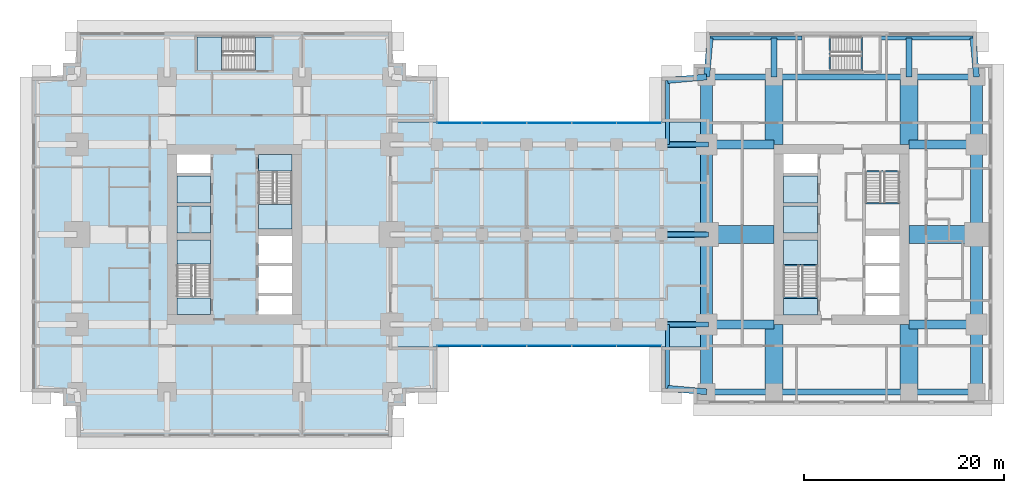
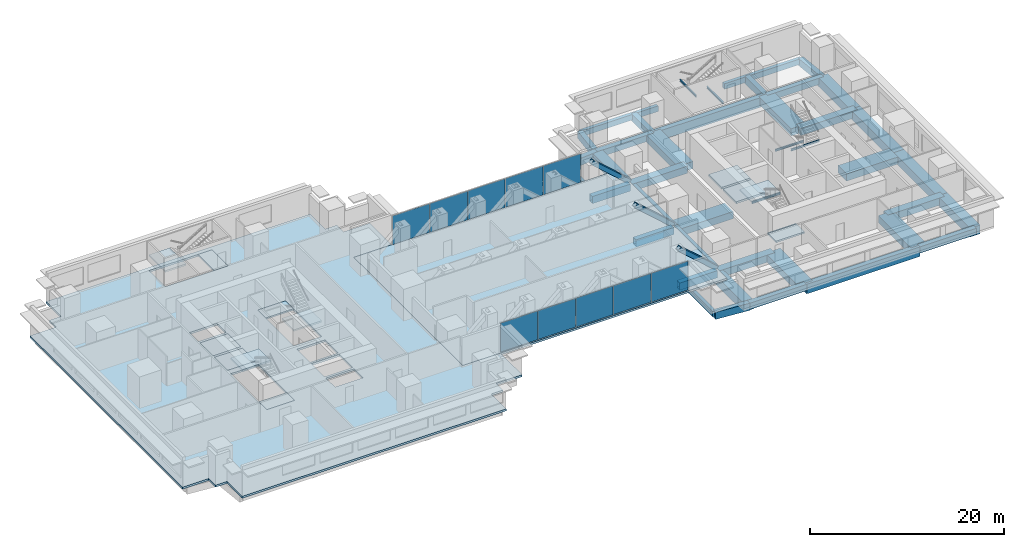
# One storey, part 5 of 16: 43 beams, 14 slabs, 10 plates, 3 members, 6 elements without a shape of their own.
"""IFC4 building model written with IfcOpenShell, lengths in metres."""

from ifc_helpers import new_model, si_unit, direction, frame, origin, origin_2d, place, context, subcontext, project, spatial, polyline, rectangle, hollow_rectangle, i_section, outline, extrude, material, layer, layer_set, material_profile, profile_set, type_object, element, aggregate, save


model = new_model("IFC4")

# Units and contexts
model_context = context("Model", 3, precision=1e-05, world=origin(), true_north=direction((0.0, 1.0)))
body_context = subcontext(model_context, "Body", "Model", "MODEL_VIEW")
ifc_project = project(units=[si_unit("LENGTHUNIT", "METRE"), si_unit("AREAUNIT", "SQUARE_METRE"), si_unit("VOLUMEUNIT", "CUBIC_METRE"), si_unit("PLANEANGLEUNIT", "RADIAN"), si_unit("MASSUNIT", "GRAM", prefix="KILO")], contexts=[model_context])

# Site, building, storey
site_placement = place(None, origin())
site = spatial("IfcSite", under=ifc_project, at=site_placement, CompositionType="ELEMENT")
building_placement = place(site_placement, origin())
building = spatial("IfcBuilding", under=site, at=building_placement, Name="Namib Vertical Campus", CompositionType="ELEMENT")
storey_placement = place(building_placement, frame((0.0, 0.0, 117.0)))
storey = spatial("IfcBuildingStorey", under=building, at=storey_placement, Name="L27", CompositionType="ELEMENT", Elevation=117.0)

# Members
ifc_material_1 = material(Name="Steel S355JR", Category="steel")
ifc_material_profile_1 = material_profile(ifc_material_1, hollow_rectangle(XDim=0.5, YDim=0.5, WallThickness=0.031982421875, at=origin_2d()))
ifc_profile_set_1 = profile_set([ifc_material_profile_1], Name="Steel S355JR")
member_type = type_object("IfcMemberType", Name="Bridge end brace WB 500x500x32", PredefinedType="BRACE", material=ifc_profile_set_1)
for number, where, z_axis, x_axis, name in (
    (1, (67.5, 11.25, 0.0), (-0.747409318684, 0.0, 0.66436383883), (0.0, -1.0, 0.0), "Bridge brace BX1 L27 T1 bay 7"),
    (2, (67.5, 20.25, 0.0), (-0.747409318684, 0.0, 0.66436383883), (0.0, -1.0, 0.0), "Bridge brace BX1 L27 T2 bay 7"),
    (3, (67.5, 29.25, 0.0), (-0.747409318684, 0.0, 0.66436383883), (0.0, -1.0, 0.0), "Bridge brace BX1 L27 T3 bay 7"),
):
    element("IfcMember", number, at=place(storey_placement, frame(where, z_axis=z_axis, x_axis=x_axis)), inside=storey, type_object=member_type, Name=name, PredefinedType="BRACE", context=body_context, shape_type="SweptSolid", body=[
        extrude(hollow_rectangle(XDim=0.5, YDim=0.5, WallThickness=0.031982421875, at=origin_2d()), origin(), (0.0, 0.0, 1.0), 6.020751953125),
    ])

# Beams
ifc_material_2 = material(Name="Steel S355JR", Category="steel")
ifc_material_profile_2 = material_profile(ifc_material_2, hollow_rectangle(XDim=0.60009765625, YDim=0.89990234375, WallThickness=0.050048828125, at=origin_2d()))
ifc_profile_set_2 = profile_set([ifc_material_profile_2], Name="Steel S355JR")
beam_type_1 = type_object("IfcBeamType", Name="Bridge girder WB 900x600x50", PredefinedType="BEAM", material=ifc_profile_set_2)
for number, where, z_axis, x_axis, name in (
    (4, (63.0, 11.25, -0.699951171875), (1.0, 0.0, 0.0), (0.0, 1.0, 0.0), "Bridge girder BG1 L27"),
    (5, (63.0, 20.25, -0.699951171875), (1.0, 0.0, 0.0), (0.0, 1.0, 0.0), "Bridge girder BG1 L27"),
    (6, (63.0, 29.25, -0.699951171875), (1.0, 0.0, 0.0), (0.0, 1.0, 0.0), "Bridge girder BG1 L27"),
):
    element("IfcBeam", number, at=place(storey_placement, frame(where, z_axis=z_axis, x_axis=x_axis)), inside=storey, type_object=beam_type_1, Name=name, PredefinedType="BEAM", context=body_context, shape_type="SweptSolid", body=[
        extrude(hollow_rectangle(XDim=0.60009765625, YDim=0.89990234375, WallThickness=0.050048828125, at=origin_2d()), origin(), (0.0, 0.0, 1.0), 4.5),
    ])
ifc_material_3 = material(Name="Concrete C40/50", Category="concrete")
ifc_material_profile_3 = material_profile(ifc_material_3, rectangle(XDim=0.60009765625, YDim=0.89990234375, at=origin_2d()))
ifc_profile_set_3 = profile_set([ifc_material_profile_3], Name="Concrete C40/50")
beam_type_2 = type_object("IfcBeamType", Name="Cantilever girder RC 600x900", PredefinedType="BEAM", material=ifc_profile_set_3)
beam_1_placement = place(storey_placement, frame((67.5, 36.0, -0.699951171875), z_axis=(0.089411326146, 0.995994786511, 0.0), x_axis=(-0.995994786511, 0.089411326146, 0.0)))
element("IfcBeam", 7, at=beam_1_placement, inside=storey, type_object=beam_type_2, Name="Beam B3 L27", PredefinedType="BEAM", context=body_context, shape_type="SweptSolid", body=[
    extrude(rectangle(XDim=0.60009765625, YDim=0.89990234375, at=origin_2d()), origin(), (0.0, 0.0, 1.0), 3.91552734375),
])
for number, where, z_axis, x_axis, name in (
    (8, (74.25, 36.0, -0.699951171875), (0.0, 1.0, 0.0), (-1.0, 0.0, 0.0), "Beam B3 L27"),
    (9, (87.75, 36.0, -0.699951171875), (0.0, 1.0, 0.0), (-1.0, 0.0, 0.0), "Beam B3 L27"),
):
    element("IfcBeam", number, at=place(storey_placement, frame(where, z_axis=z_axis, x_axis=x_axis)), inside=storey, type_object=beam_type_2, Name=name, PredefinedType="BEAM", context=body_context, shape_type="SweptSolid", body=[
        extrude(rectangle(XDim=0.60009765625, YDim=0.89990234375, at=origin_2d()), origin(), (0.0, 0.0, 1.0), 3.89990234375),
    ])
for number, where, z_axis, x_axis, name in (
    (10, (94.5, 36.0, -0.699951171875), (-0.089411326146, 0.995994786511, 0.0), (-0.995994786511, -0.089411326146, 0.0), "Beam B3 L27"),
    (11, (67.5, 4.5, -0.699951171875), (-0.995994786511, 0.089411326146, 0.0), (-0.089411326146, -0.995994786511, 0.0), "Beam B3 L27"),
    (12, (67.5, 36.0, -0.699951171875), (-0.995994786511, -0.089411326146, 0.0), (0.089411326146, -0.995994786511, 0.0), "Beam B3 L27"),
):
    element("IfcBeam", number, at=place(storey_placement, frame(where, z_axis=z_axis, x_axis=x_axis)), inside=storey, type_object=beam_type_2, Name=name, PredefinedType="BEAM", context=body_context, shape_type="SweptSolid", body=[
        extrude(rectangle(XDim=0.60009765625, YDim=0.89990234375, at=origin_2d()), origin(), (0.0, 0.0, 1.0), 3.91552734375),
    ])
ifc_material_4 = material(Name="Concrete C40/50", Category="concrete")
ifc_material_profile_4 = material_profile(ifc_material_4, rectangle(XDim=0.39990234375, YDim=0.699951171875, at=origin_2d()))
ifc_profile_set_4 = profile_set([ifc_material_profile_4], Name="Concrete C40/50")
beam_type_3 = type_object("IfcBeamType", Name="Edge beam RC 400x700", PredefinedType="SPANDREL", material=ifc_profile_set_4)
for number, where, z_axis, x_axis, name in (
    (13, (67.85009765625, 39.89990234375, -0.60009765625), (1.0, 0.0, 0.0), (0.0, 1.0, 0.0), "Beam B4 L27"),
    (14, (84.949951171875, 39.89990234375, -0.60009765625), (1.0, 0.0, 0.0), (0.0, 1.0, 0.0), "Beam B4 L27"),
):
    element("IfcBeam", number, at=place(storey_placement, frame(where, z_axis=z_axis, x_axis=x_axis)), inside=storey, type_object=beam_type_3, Name=name, PredefinedType="SPANDREL", context=body_context, shape_type="SweptSolid", body=[
        extrude(rectangle(XDim=0.39990234375, YDim=0.699951171875, at=origin_2d()), origin(), (0.0, 0.0, 1.0), 9.199951171875),
    ])
for number, where, z_axis, x_axis, name in (
    (15, (63.60009765625, 4.85009765625, -0.60009765625), (0.0, 1.0, 0.0), (-1.0, 0.0, 0.0), "Beam B4 L27"),
    (16, (63.60009765625, 29.25, -0.60009765625), (0.0, 1.0, 0.0), (-1.0, 0.0, 0.0), "Beam B4 L27"),
):
    element("IfcBeam", number, at=place(storey_placement, frame(where, z_axis=z_axis, x_axis=x_axis)), inside=storey, type_object=beam_type_3, Name=name, PredefinedType="SPANDREL", context=body_context, shape_type="SweptSolid", body=[
        extrude(rectangle(XDim=0.39990234375, YDim=0.699951171875, at=origin_2d()), origin(), (0.0, 0.0, 1.0), 6.39990234375),
    ])
ifc_material_5 = material(Name="Concrete C40/50", Category="concrete")
ifc_material_profile_5 = material_profile(ifc_material_5, rectangle(XDim=0.89990234375, YDim=0.89990234375, at=origin_2d()))
ifc_profile_set_5 = profile_set([ifc_material_profile_5], Name="Concrete C40/50")
beam_type_4 = type_object("IfcBeamType", Name="Face girder RC 900x900", PredefinedType="BEAM", material=ifc_profile_set_5)
for number, where, z_axis, x_axis, name in (
    (17, (67.5, 11.25, -0.699951171875), (1.0, 0.0, 0.0), (0.0, 1.0, 0.0), "Beam B10 L27"),
    (18, (94.5, 11.25, -0.699951171875), (-1.0, 0.0, 0.0), (0.0, -1.0, 0.0), "Beam B10 L27"),
    (19, (67.5, 29.25, -0.699951171875), (1.0, 0.0, 0.0), (0.0, 1.0, 0.0), "Beam B10 L27"),
    (20, (94.5, 29.25, -0.699951171875), (-1.0, 0.0, 0.0), (0.0, -1.0, 0.0), "Beam B10 L27"),
):
    element("IfcBeam", number, at=place(storey_placement, frame(where, z_axis=z_axis, x_axis=x_axis)), inside=storey, type_object=beam_type_4, Name=name, PredefinedType="BEAM", context=body_context, shape_type="SweptSolid", body=[
        extrude(rectangle(XDim=0.89990234375, YDim=0.89990234375, at=origin_2d()), origin(), (0.0, 0.0, 1.0), 6.75),
    ])
ifc_material_6 = material(Name="Concrete C40/50", Category="concrete")
ifc_material_profile_6 = material_profile(ifc_material_6, rectangle(XDim=1.199951171875, YDim=1.10009765625, at=origin_2d()))
ifc_profile_set_6 = profile_set([ifc_material_profile_6], Name="Concrete C40/50")
beam_type_5 = type_object("IfcBeamType", Name="Face ring beam RC 1200x1100", PredefinedType="BEAM", material=ifc_profile_set_6)
beam_2_placement = place(storey_placement, frame((67.5, 4.5, -0.800048828125), z_axis=(0.0, 1.0, 0.0), x_axis=(-1.0, 0.0, 0.0)))
element("IfcBeam", 21, at=beam_2_placement, inside=storey, type_object=beam_type_5, Name="Beam B11 L27", PredefinedType="BEAM", context=body_context, shape_type="SweptSolid", body=[
    extrude(rectangle(XDim=1.199951171875, YDim=1.10009765625, at=origin_2d()), origin(), (0.0, 0.0, 1.0), 6.75),
])
for number, where, z_axis, x_axis, name in (
    (22, (67.5, 11.25, -0.800048828125), (0.0, 1.0, 0.0), (-1.0, 0.0, 0.0), "Beam B11 L27"),
    (23, (67.5, 20.25, -0.800048828125), (0.0, 1.0, 0.0), (-1.0, 0.0, 0.0), "Beam B11 L27"),
):
    element("IfcBeam", number, at=place(storey_placement, frame(where, z_axis=z_axis, x_axis=x_axis)), inside=storey, type_object=beam_type_5, Name=name, PredefinedType="BEAM", context=body_context, shape_type="SweptSolid", body=[
        extrude(rectangle(XDim=1.199951171875, YDim=1.10009765625, at=origin_2d()), origin(), (0.0, 0.0, 1.0), 9.0),
    ])
for number, where, z_axis, x_axis, name in (
    (24, (67.5, 29.25, -0.800048828125), (0.0, 1.0, 0.0), (-1.0, 0.0, 0.0), "Beam B11 L27"),
    (25, (94.5, 4.5, -0.800048828125), (0.0, 1.0, 0.0), (-1.0, 0.0, 0.0), "Beam B11 L27"),
):
    element("IfcBeam", number, at=place(storey_placement, frame(where, z_axis=z_axis, x_axis=x_axis)), inside=storey, type_object=beam_type_5, Name=name, PredefinedType="BEAM", context=body_context, shape_type="SweptSolid", body=[
        extrude(rectangle(XDim=1.199951171875, YDim=1.10009765625, at=origin_2d()), origin(), (0.0, 0.0, 1.0), 6.75),
    ])
for number, where, z_axis, x_axis, name in (
    (26, (94.5, 11.25, -0.800048828125), (0.0, 1.0, 0.0), (-1.0, 0.0, 0.0), "Beam B11 L27"),
    (27, (94.5, 20.25, -0.800048828125), (0.0, 1.0, 0.0), (-1.0, 0.0, 0.0), "Beam B11 L27"),
):
    element("IfcBeam", number, at=place(storey_placement, frame(where, z_axis=z_axis, x_axis=x_axis)), inside=storey, type_object=beam_type_5, Name=name, PredefinedType="BEAM", context=body_context, shape_type="SweptSolid", body=[
        extrude(rectangle(XDim=1.199951171875, YDim=1.10009765625, at=origin_2d()), origin(), (0.0, 0.0, 1.0), 9.0),
    ])
beam_3_placement = place(storey_placement, frame((94.5, 29.25, -0.800048828125), z_axis=(0.0, 1.0, 0.0), x_axis=(-1.0, 0.0, 0.0)))
element("IfcBeam", 28, at=beam_3_placement, inside=storey, type_object=beam_type_5, Name="Beam B11 L27", PredefinedType="BEAM", context=body_context, shape_type="SweptSolid", body=[
    extrude(rectangle(XDim=1.199951171875, YDim=1.10009765625, at=origin_2d()), origin(), (0.0, 0.0, 1.0), 6.75),
])
ifc_material_7 = material(Name="Steel S355JR", Category="steel")
ifc_material_profile_7 = material_profile(ifc_material_7, i_section(OverallWidth=0.14599609375, OverallDepth=0.25146484375, WebThickness=0.006103515625, FlangeThickness=0.008544921875, FilletRadius=0.007568359375, at=origin_2d()))
ifc_profile_set_7 = profile_set([ifc_material_profile_7], Name="Steel S355JR")
beam_type_6 = type_object("IfcBeamType", Name="Landing trimmer UB 254x146x31", PredefinedType="BEAM", material=ifc_profile_set_7)
for number, where, z_axis, x_axis, name in (
    (29, (75.199951171875, 13.927001953125, -0.125732421875), (1.0, 0.0, 0.0), (0.0, 1.0, 0.0), "Landing trimmer LT1 B-S1 L27 1"),
    (30, (75.199951171875, 17.153076171875, 1.874267578125), (1.0, 0.0, 0.0), (0.0, 1.0, 0.0), "Landing trimmer LT1 B-S1 L27 2"),
    (31, (83.39990234375, 26.572998046875, -0.125732421875), (1.0, 0.0, 0.0), (0.0, 1.0, 0.0), "Landing trimmer LT1 B-S2 L27 1"),
    (32, (83.39990234375, 23.346923828125, 1.874267578125), (1.0, 0.0, 0.0), (0.0, 1.0, 0.0), "Landing trimmer LT1 B-S2 L27 2"),
):
    element("IfcBeam", number, at=place(storey_placement, frame(where, z_axis=z_axis, x_axis=x_axis)), inside=storey, type_object=beam_type_6, Name=name, PredefinedType="BEAM", context=body_context, shape_type="SweptSolid", body=[
        extrude(i_section(OverallWidth=0.14599609375, OverallDepth=0.25146484375, WebThickness=0.006103515625, FlangeThickness=0.008544921875, FilletRadius=0.007568359375, at=origin_2d()), origin(), (0.0, 0.0, 1.0), 3.400146484375),
    ])
for number, where, z_axis, x_axis, name in (
    (33, (83.02294921875, 36.60009765625, -0.125732421875), (0.0, 1.0, 0.0), (-1.0, 0.0, 0.0), "Landing trimmer LT1 B-S3 L27 1"),
    (34, (79.796875, 36.60009765625, 1.874267578125), (0.0, 1.0, 0.0), (-1.0, 0.0, 0.0), "Landing trimmer LT1 B-S3 L27 2"),
):
    element("IfcBeam", number, at=place(storey_placement, frame(where, z_axis=z_axis, x_axis=x_axis)), inside=storey, type_object=beam_type_6, Name=name, PredefinedType="BEAM", context=body_context, shape_type="SweptSolid", body=[
        extrude(i_section(OverallWidth=0.14599609375, OverallDepth=0.25146484375, WebThickness=0.006103515625, FlangeThickness=0.008544921875, FilletRadius=0.007568359375, at=origin_2d()), origin(), (0.0, 0.0, 1.0), 3.39990234375),
    ])
ifc_material_8 = material(Name="Concrete C40/50", Category="concrete")
ifc_material_profile_8 = material_profile(ifc_material_8, rectangle(XDim=0.60009765625, YDim=1.199951171875, at=origin_2d()))
ifc_profile_set_8 = profile_set([ifc_material_profile_8], Name="Concrete C40/50")
beam_type_7 = type_object("IfcBeamType", Name="Long-span ring beam RC 600x1200", PredefinedType="BEAM", material=ifc_profile_set_8)
for number, where, z_axis, x_axis, name in (
    (35, (74.25, 4.5, -0.85009765625), (1.0, 0.0, 0.0), (0.0, 1.0, 0.0), "Beam B9 L27"),
    (36, (74.25, 36.0, -0.85009765625), (1.0, 0.0, 0.0), (0.0, 1.0, 0.0), "Beam B9 L27"),
):
    element("IfcBeam", number, at=place(storey_placement, frame(where, z_axis=z_axis, x_axis=x_axis)), inside=storey, type_object=beam_type_7, Name=name, PredefinedType="BEAM", context=body_context, shape_type="SweptSolid", body=[
        extrude(rectangle(XDim=0.60009765625, YDim=1.199951171875, at=origin_2d()), origin(), (0.0, 0.0, 1.0), 13.5),
    ])
ifc_material_9 = material(Name="Concrete C40/50", Category="concrete")
ifc_material_profile_9 = material_profile(ifc_material_9, rectangle(XDim=1.800048828125, YDim=0.89990234375, at=origin_2d()))
ifc_profile_set_9 = profile_set([ifc_material_profile_9], Name="Concrete C40/50")
beam_type_8 = type_object("IfcBeamType", Name="Outrigger line girder RC 1800x900", PredefinedType="BEAM", material=ifc_profile_set_9)
for number, where, z_axis, x_axis, name in (
    (37, (74.25, 4.5, -0.699951171875), (0.0, 1.0, 0.0), (-1.0, 0.0, 0.0), "Beam B12 L27"),
    (38, (74.25, 36.0, -0.699951171875), (0.0, -1.0, 0.0), (1.0, 0.0, 0.0), "Beam B12 L27"),
    (39, (87.75, 4.5, -0.699951171875), (0.0, 1.0, 0.0), (-1.0, 0.0, 0.0), "Beam B12 L27"),
    (40, (87.75, 36.0, -0.699951171875), (0.0, -1.0, 0.0), (1.0, 0.0, 0.0), "Beam B12 L27"),
    (41, (67.5, 20.25, -0.699951171875), (1.0, 0.0, 0.0), (0.0, 1.0, 0.0), "Beam B12 L27"),
    (42, (94.5, 20.25, -0.699951171875), (-1.0, 0.0, 0.0), (0.0, -1.0, 0.0), "Beam B12 L27"),
):
    element("IfcBeam", number, at=place(storey_placement, frame(where, z_axis=z_axis, x_axis=x_axis)), inside=storey, type_object=beam_type_8, Name=name, PredefinedType="BEAM", context=body_context, shape_type="SweptSolid", body=[
        extrude(rectangle(XDim=1.800048828125, YDim=0.89990234375, at=origin_2d()), origin(), (0.0, 0.0, 1.0), 6.75),
    ])
ifc_material_10 = material(Name="Concrete C40/50", Category="concrete")
ifc_material_profile_10 = material_profile(ifc_material_10, rectangle(XDim=0.60009765625, YDim=0.800048828125, at=origin_2d()))
ifc_profile_set_10 = profile_set([ifc_material_profile_10], Name="Concrete C40/50")
beam_type_9 = type_object("IfcBeamType", Name="Ring beam RC 600x800", PredefinedType="BEAM", material=ifc_profile_set_10)
for number, where, z_axis, x_axis, name in (
    (43, (67.5, 4.5, -0.64990234375), (1.0, 0.0, 0.0), (0.0, 1.0, 0.0), "Beam B1 L27"),
    (44, (87.75, 4.5, -0.64990234375), (1.0, 0.0, 0.0), (0.0, 1.0, 0.0), "Beam B1 L27"),
    (45, (67.5, 36.0, -0.64990234375), (1.0, 0.0, 0.0), (0.0, 1.0, 0.0), "Beam B1 L27"),
    (46, (87.75, 36.0, -0.64990234375), (1.0, 0.0, 0.0), (0.0, 1.0, 0.0), "Beam B1 L27"),
):
    element("IfcBeam", number, at=place(storey_placement, frame(where, z_axis=z_axis, x_axis=x_axis)), inside=storey, type_object=beam_type_9, Name=name, PredefinedType="BEAM", context=body_context, shape_type="SweptSolid", body=[
        extrude(rectangle(XDim=0.60009765625, YDim=0.800048828125, at=origin_2d()), origin(), (0.0, 0.0, 1.0), 6.75),
    ])

# Curtain wall, plates
ifc_material_11 = material(Name="Black aluminium curtain wall", Category="aluminium")
ifc_layer_1 = layer(ifc_material_11, 0.199951171875)
ifc_layer_set_1 = layer_set([ifc_layer_1], Name="Bridge curtain wall CW-BR")
curtain_wall_type = type_object("IfcCurtainWallType", Name="Bridge curtain wall CW-BR", PredefinedType="USERDEFINED", material=ifc_layer_set_1)
curtain_wall_1_placement = place(storey_placement, origin())
curtain_wall_1 = element("IfcCurtainWall", 47, at=curtain_wall_1_placement, inside=storey, type_object=curtain_wall_type, Name="Curtain wall CW-BR L27 S", ObjectType="CURTAIN WALL", PredefinedType="USERDEFINED")
ifc_material_12 = material(Name="Dark tinted glass", Category="glass")
ifc_layer_2 = layer(ifc_material_12, 0.028076171875)
ifc_layer_set_2 = layer_set([ifc_layer_2], Name="Dark solar glass panel 28")
plate_type = type_object("IfcPlateType", Name="Dark solar glass panel 28", PredefinedType="CURTAIN_PANEL", material=ifc_layer_set_2)
plate_1_placement = place(storey_placement, frame((42.764892578125, 9.10009765625, 0.06005859375), z_axis=(0.0, 0.0, 1.0), x_axis=(1.0, 0.0, 0.0)))
plate_1 = element("IfcPlate", 48, at=plate_1_placement, type_object=plate_type, Name="CW-BR panel 1.1", PredefinedType="CURTAIN_PANEL", context=body_context, shape_type="SweptSolid", body=[
    extrude(rectangle(XDim=4.409912109375, YDim=0.028076171875, at=origin_2d()), origin(), (0.0, 0.0, 1.0), 3.6298828125),
])
plate_2_placement = place(storey_placement, frame((47.25, 9.10009765625, 0.06005859375), z_axis=(0.0, 0.0, 1.0), x_axis=(1.0, 0.0, 0.0)))
plate_2 = element("IfcPlate", 49, at=plate_2_placement, type_object=plate_type, Name="CW-BR panel 2.1", PredefinedType="CURTAIN_PANEL", context=body_context, shape_type="SweptSolid", body=[
    extrude(rectangle(XDim=4.43994140625, YDim=0.028076171875, at=origin_2d()), origin(), (0.0, 0.0, 1.0), 3.6298828125),
])
plate_3_placement = place(storey_placement, frame((51.75, 9.10009765625, 0.06005859375), z_axis=(0.0, 0.0, 1.0), x_axis=(1.0, 0.0, 0.0)))
plate_3 = element("IfcPlate", 50, at=plate_3_placement, type_object=plate_type, Name="CW-BR panel 3.1", PredefinedType="CURTAIN_PANEL", context=body_context, shape_type="SweptSolid", body=[
    extrude(rectangle(XDim=4.43994140625, YDim=0.028076171875, at=origin_2d()), origin(), (0.0, 0.0, 1.0), 3.6298828125),
])
plate_4_placement = place(storey_placement, frame((56.25, 9.10009765625, 0.06005859375), z_axis=(0.0, 0.0, 1.0), x_axis=(1.0, 0.0, 0.0)))
plate_4 = element("IfcPlate", 51, at=plate_4_placement, type_object=plate_type, Name="CW-BR panel 4.1", PredefinedType="CURTAIN_PANEL", context=body_context, shape_type="SweptSolid", body=[
    extrude(rectangle(XDim=4.43994140625, YDim=0.028076171875, at=origin_2d()), origin(), (0.0, 0.0, 1.0), 3.6298828125),
])
plate_5_placement = place(storey_placement, frame((60.735107421875, 9.10009765625, 0.06005859375), z_axis=(0.0, 0.0, 1.0), x_axis=(1.0, 0.0, 0.0)))
plate_5 = element("IfcPlate", 52, at=plate_5_placement, type_object=plate_type, Name="CW-BR panel 5.1", PredefinedType="CURTAIN_PANEL", context=body_context, shape_type="SweptSolid", body=[
    extrude(rectangle(XDim=4.409912109375, YDim=0.028076171875, at=origin_2d()), origin(), (0.0, 0.0, 1.0), 3.6298828125),
])
aggregate(curtain_wall_1, [plate_1, plate_2, plate_3, plate_4, plate_5])

curtain_wall_2_placement = place(storey_placement, origin())
curtain_wall_2 = element("IfcCurtainWall", 53, at=curtain_wall_2_placement, inside=storey, type_object=curtain_wall_type, Name="Curtain wall CW-BR L27 N", ObjectType="CURTAIN WALL", PredefinedType="USERDEFINED")
plate_6_placement = place(storey_placement, frame((60.735107421875, 31.39990234375, 0.06005859375), z_axis=(0.0, 0.0, 1.0), x_axis=(-1.0, 0.0, 0.0)))
plate_6 = element("IfcPlate", 54, at=plate_6_placement, type_object=plate_type, Name="CW-BR panel 1.1", PredefinedType="CURTAIN_PANEL", context=body_context, shape_type="SweptSolid", body=[
    extrude(rectangle(XDim=4.409912109375, YDim=0.028076171875, at=origin_2d()), origin(), (0.0, 0.0, 1.0), 3.6298828125),
])
plate_7_placement = place(storey_placement, frame((56.25, 31.39990234375, 0.06005859375), z_axis=(0.0, 0.0, 1.0), x_axis=(-1.0, 0.0, 0.0)))
plate_7 = element("IfcPlate", 55, at=plate_7_placement, type_object=plate_type, Name="CW-BR panel 2.1", PredefinedType="CURTAIN_PANEL", context=body_context, shape_type="SweptSolid", body=[
    extrude(rectangle(XDim=4.43994140625, YDim=0.028076171875, at=origin_2d()), origin(), (0.0, 0.0, 1.0), 3.6298828125),
])
plate_8_placement = place(storey_placement, frame((51.75, 31.39990234375, 0.06005859375), z_axis=(0.0, 0.0, 1.0), x_axis=(-1.0, 0.0, 0.0)))
plate_8 = element("IfcPlate", 56, at=plate_8_placement, type_object=plate_type, Name="CW-BR panel 3.1", PredefinedType="CURTAIN_PANEL", context=body_context, shape_type="SweptSolid", body=[
    extrude(rectangle(XDim=4.43994140625, YDim=0.028076171875, at=origin_2d()), origin(), (0.0, 0.0, 1.0), 3.6298828125),
])
plate_9_placement = place(storey_placement, frame((47.25, 31.39990234375, 0.06005859375), z_axis=(0.0, 0.0, 1.0), x_axis=(-1.0, 0.0, 0.0)))
plate_9 = element("IfcPlate", 57, at=plate_9_placement, type_object=plate_type, Name="CW-BR panel 4.1", PredefinedType="CURTAIN_PANEL", context=body_context, shape_type="SweptSolid", body=[
    extrude(rectangle(XDim=4.43994140625, YDim=0.028076171875, at=origin_2d()), origin(), (0.0, 0.0, 1.0), 3.6298828125),
])
plate_10_placement = place(storey_placement, frame((42.764892578125, 31.39990234375, 0.06005859375), z_axis=(0.0, 0.0, 1.0), x_axis=(-1.0, 0.0, 0.0)))
plate_10 = element("IfcPlate", 58, at=plate_10_placement, type_object=plate_type, Name="CW-BR panel 5.1", PredefinedType="CURTAIN_PANEL", context=body_context, shape_type="SweptSolid", body=[
    extrude(rectangle(XDim=4.409912109375, YDim=0.028076171875, at=origin_2d()), origin(), (0.0, 0.0, 1.0), 3.6298828125),
])
aggregate(curtain_wall_2, [plate_6, plate_7, plate_8, plate_9, plate_10])

# Slabs
ifc_material_13 = material(Name="Concrete C40/50", Category="concrete")
ifc_layer_3 = layer(ifc_material_13, 0.25)
ifc_layer_set_3 = layer_set([ifc_layer_3], Name="Concrete C40/50")
slab_type_1 = type_object("IfcSlabType", Name="Floor slab 250", PredefinedType="FLOOR", material=ifc_layer_set_3)
slab_1_placement = place(storey_placement, frame((0.0, 0.0, -0.25)))
element("IfcSlab", 59, at=slab_1_placement, inside=storey, type_object=slab_type_1, Name="Floor slab A L27", PredefinedType="FLOOR", context=body_context, shape_type="SweptSolid", body=[
    extrude(outline(polyline([(4.5, 3.10009765625), (4.5, 0.0), (36.0, 0.0), (36.0, 3.10009765625), (37.39990234375, 3.10009765625), (37.39990234375, 4.5), (40.5, 4.5), (40.5, 9.0), (36.0, 9.0), (36.0, 31.5), (40.5, 31.5), (40.5, 36.0), (37.39990234375, 36.0), (37.39990234375, 37.39990234375), (36.0, 37.39990234375), (36.0, 40.5), (4.5, 40.5), (4.5, 37.39990234375), (3.10009765625, 37.39990234375), (3.10009765625, 36.0), (0.0, 36.0), (0.0, 4.5), (3.10009765625, 4.5), (3.10009765625, 3.10009765625), (4.5, 3.10009765625)]), holes=[polyline([(14.5, 12.25), (17.85009765625, 12.25), (17.85009765625, 19.699951171875), (14.5, 19.699951171875), (14.5, 12.25)]), polyline([(22.64990234375, 20.800048828125), (26.0, 20.800048828125), (26.0, 28.25), (22.64990234375, 28.25), (22.64990234375, 20.800048828125)]), polyline([(22.64990234375, 12.25), (26.0, 12.25), (26.0, 14.10009765625), (22.64990234375, 14.10009765625), (22.64990234375, 12.25)]), polyline([(14.5, 20.39990234375), (17.85009765625, 20.39990234375), (17.85009765625, 23.10009765625), (14.5, 23.10009765625), (14.5, 20.39990234375)]), polyline([(14.5, 23.39990234375), (17.85009765625, 23.39990234375), (17.85009765625, 26.10009765625), (14.5, 26.10009765625), (14.5, 23.39990234375)]), polyline([(14.5, 26.39990234375), (17.85009765625, 26.39990234375), (17.85009765625, 28.25), (14.5, 28.25), (14.5, 26.39990234375)]), polyline([(22.64990234375, 14.39990234375), (26.0, 14.39990234375), (26.0, 17.10009765625), (22.64990234375, 17.10009765625), (22.64990234375, 14.39990234375)]), polyline([(22.64990234375, 17.39990234375), (26.0, 17.39990234375), (26.0, 20.10009765625), (22.64990234375, 20.10009765625), (22.64990234375, 17.39990234375)]), polyline([(16.5, 36.64990234375), (24.0, 36.64990234375), (24.0, 40.0), (16.5, 40.0), (16.5, 36.64990234375)])]), origin(), (0.0, 0.0, 1.0), 0.25),
])
slab_2_placement = place(storey_placement, frame((0.0, 0.0, -0.25)))
element("IfcSlab", 60, at=slab_2_placement, inside=storey, type_object=slab_type_1, Name="Bridge floor L27", PredefinedType="FLOOR", context=body_context, shape_type="SweptSolid", body=[
    extrude(outline(polyline([(36.0, 9.0), (67.5, 9.0), (67.5, 31.5), (36.0, 31.5), (36.0, 9.0)])), origin(), (0.0, 0.0, 1.0), 0.25),
])
ifc_material_14 = material(Name="Concrete C40/50 precast", Category="concrete")
ifc_layer_4 = layer(ifc_material_14, 0.25)
ifc_layer_set_4 = layer_set([ifc_layer_4], Name="Concrete C40/50 precast")
slab_type_2 = type_object("IfcSlabType", Name="Shaft infill floor 250", PredefinedType="FLOOR", material=ifc_layer_set_4)
slab_3_placement = place(storey_placement, frame((0.0, 0.0, -0.25)))
element("IfcSlab", 61, at=slab_3_placement, inside=storey, type_object=slab_type_2, Name="Shaft infill floor A L27 P1", PredefinedType="FLOOR", context=body_context, shape_type="SweptSolid", body=[
    extrude(outline(polyline([(14.5, 20.39990234375), (17.85009765625, 20.39990234375), (17.85009765625, 23.10009765625), (14.5, 23.10009765625), (14.5, 20.39990234375)])), origin(), (0.0, 0.0, 1.0), 0.25),
])
slab_4_placement = place(storey_placement, frame((0.0, 0.0, -0.25)))
element("IfcSlab", 62, at=slab_4_placement, inside=storey, type_object=slab_type_2, Name="Shaft infill floor A L27 P2", PredefinedType="FLOOR", context=body_context, shape_type="SweptSolid", body=[
    extrude(outline(polyline([(14.5, 23.39990234375), (17.85009765625, 23.39990234375), (17.85009765625, 26.10009765625), (14.5, 26.10009765625), (14.5, 23.39990234375)])), origin(), (0.0, 0.0, 1.0), 0.25),
])
slab_5_placement = place(storey_placement, frame((0.0, 0.0, -0.25)))
element("IfcSlab", 63, at=slab_5_placement, inside=storey, type_object=slab_type_2, Name="Shaft infill floor B L27 P1", PredefinedType="FLOOR", context=body_context, shape_type="SweptSolid", body=[
    extrude(outline(polyline([(75.199951171875, 20.39990234375), (78.60009765625, 20.39990234375), (78.60009765625, 23.10009765625), (75.199951171875, 23.10009765625), (75.199951171875, 20.39990234375)])), origin(), (0.0, 0.0, 1.0), 0.25),
])
slab_6_placement = place(storey_placement, frame((0.0, 0.0, -0.25)))
element("IfcSlab", 64, at=slab_6_placement, inside=storey, type_object=slab_type_2, Name="Shaft infill floor B L27 P2", PredefinedType="FLOOR", context=body_context, shape_type="SweptSolid", body=[
    extrude(outline(polyline([(75.199951171875, 23.39990234375), (78.60009765625, 23.39990234375), (78.60009765625, 26.10009765625), (75.199951171875, 26.10009765625), (75.199951171875, 23.39990234375)])), origin(), (0.0, 0.0, 1.0), 0.25),
])

# Stair, slabs
ifc_material_15 = material(Name="Concrete C40/50 precast", Category="concrete")
stair_type_1 = type_object("IfcStairType", Name="Exit stair 4000 rise 24 risers 3350 wide", PredefinedType="HALF_TURN_STAIR", material=ifc_material_15)
stair_1_placement = place(storey_placement, origin())
stair_1 = element("IfcStair", 65, at=stair_1_placement, inside=storey, type_object=stair_type_1, Name="Exit stair A-S1 L27", PredefinedType="HALF_TURN_STAIR")
ifc_material_16 = material(Name="Concrete C40/50", Category="concrete")
ifc_layer_5 = layer(ifc_material_16, 0.199951171875)
ifc_layer_set_5 = layer_set([ifc_layer_5], Name="Concrete C40/50")
slab_type_3 = type_object("IfcSlabType", Name="Stair landing 200", PredefinedType="LANDING", material=ifc_layer_set_5)
slab_7_placement = place(storey_placement, frame((0.0, 0.0, -0.199951171875)))
slab_7 = element("IfcSlab", 66, at=slab_7_placement, type_object=slab_type_3, Name="A-S1 landing 1", PredefinedType="LANDING", context=body_context, shape_type="SweptSolid", body=[
    extrude(outline(polyline([(14.5, 12.25), (17.85009765625, 12.25), (17.85009765625, 13.90380859375), (14.5, 13.90380859375), (14.5, 12.25)])), origin(), (0.0, 0.0, 1.0), 0.199951171875),
])
slab_8_placement = place(storey_placement, frame((0.0, 0.0, 1.800048828125)))
slab_8 = element("IfcSlab", 67, at=slab_8_placement, type_object=slab_type_3, Name="A-S1 landing 2", PredefinedType="LANDING", context=body_context, shape_type="SweptSolid", body=[
    extrude(outline(polyline([(14.5, 17.276123046875), (17.85009765625, 17.276123046875), (17.85009765625, 19.699951171875), (14.5, 19.699951171875), (14.5, 17.276123046875)])), origin(), (0.0, 0.0, 1.0), 0.199951171875),
])
aggregate(stair_1, [slab_7, slab_8])

stair_2_placement = place(storey_placement, origin())
stair_2 = element("IfcStair", 68, at=stair_2_placement, inside=storey, type_object=stair_type_1, Name="Exit stair A-S2 L27", PredefinedType="HALF_TURN_STAIR")
slab_9_placement = place(storey_placement, frame((0.0, 0.0, -0.199951171875)))
slab_9 = element("IfcSlab", 69, at=slab_9_placement, type_object=slab_type_3, Name="A-S2 landing 1", PredefinedType="LANDING", context=body_context, shape_type="SweptSolid", body=[
    extrude(outline(polyline([(22.64990234375, 26.59619140625), (26.0, 26.59619140625), (26.0, 28.25), (22.64990234375, 28.25), (22.64990234375, 26.59619140625)])), origin(), (0.0, 0.0, 1.0), 0.199951171875),
])
slab_10_placement = place(storey_placement, frame((0.0, 0.0, 1.800048828125)))
slab_10 = element("IfcSlab", 70, at=slab_10_placement, type_object=slab_type_3, Name="A-S2 landing 2", PredefinedType="LANDING", context=body_context, shape_type="SweptSolid", body=[
    extrude(outline(polyline([(22.64990234375, 20.800048828125), (26.0, 20.800048828125), (26.0, 23.223876953125), (22.64990234375, 23.223876953125), (22.64990234375, 20.800048828125)])), origin(), (0.0, 0.0, 1.0), 0.199951171875),
])
aggregate(stair_2, [slab_9, slab_10])

ifc_material_17 = material(Name="Concrete C40/50 precast", Category="concrete")
stair_type_2 = type_object("IfcStairType", Name="Exit stair 4000 rise 24 risers 3400 wide", PredefinedType="HALF_TURN_STAIR", material=ifc_material_17)
stair_3_placement = place(storey_placement, origin())
stair_3 = element("IfcStair", 71, at=stair_3_placement, inside=storey, type_object=stair_type_2, Name="Exit stair B-S1 L27", PredefinedType="HALF_TURN_STAIR")
slab_11_placement = place(storey_placement, frame((0.0, 0.0, -0.199951171875)))
slab_11 = element("IfcSlab", 72, at=slab_11_placement, type_object=slab_type_3, Name="B-S1 landing 1", PredefinedType="LANDING", context=body_context, shape_type="SweptSolid", body=[
    extrude(outline(polyline([(75.199951171875, 12.199951171875), (78.60009765625, 12.199951171875), (78.60009765625, 13.85400390625), (75.199951171875, 13.85400390625), (75.199951171875, 12.199951171875)])), origin(), (0.0, 0.0, 1.0), 0.199951171875),
])
slab_12_placement = place(storey_placement, frame((0.0, 0.0, 1.800048828125)))
slab_12 = element("IfcSlab", 73, at=slab_12_placement, type_object=slab_type_3, Name="B-S1 landing 2", PredefinedType="LANDING", context=body_context, shape_type="SweptSolid", body=[
    extrude(outline(polyline([(75.199951171875, 17.22607421875), (78.60009765625, 17.22607421875), (78.60009765625, 19.699951171875), (75.199951171875, 19.699951171875), (75.199951171875, 17.22607421875)])), origin(), (0.0, 0.0, 1.0), 0.199951171875),
])
aggregate(stair_3, [slab_11, slab_12])

stair_4_placement = place(storey_placement, origin())
stair_4 = element("IfcStair", 74, at=stair_4_placement, inside=storey, type_object=stair_type_1, Name="Exit stair A-S3 L27", PredefinedType="HALF_TURN_STAIR")
slab_13_placement = place(storey_placement, frame((0.0, 0.0, -0.199951171875)))
slab_13 = element("IfcSlab", 75, at=slab_13_placement, type_object=slab_type_3, Name="A-S3 landing 1", PredefinedType="LANDING", context=body_context, shape_type="SweptSolid", body=[
    extrude(outline(polyline([(22.34619140625, 36.64990234375), (22.34619140625, 40.0), (24.0, 40.0), (24.0, 36.64990234375), (22.34619140625, 36.64990234375)])), origin(), (0.0, 0.0, 1.0), 0.199951171875),
])
slab_14_placement = place(storey_placement, frame((0.0, 0.0, 1.800048828125)))
slab_14 = element("IfcSlab", 76, at=slab_14_placement, type_object=slab_type_3, Name="A-S3 landing 2", PredefinedType="LANDING", context=body_context, shape_type="SweptSolid", body=[
    extrude(outline(polyline([(16.5, 36.64990234375), (16.5, 40.0), (18.973876953125, 40.0), (18.973876953125, 36.64990234375), (16.5, 36.64990234375)])), origin(), (0.0, 0.0, 1.0), 0.199951171875),
])
aggregate(stair_4, [slab_13, slab_14])

save(model, "model.ifc")
